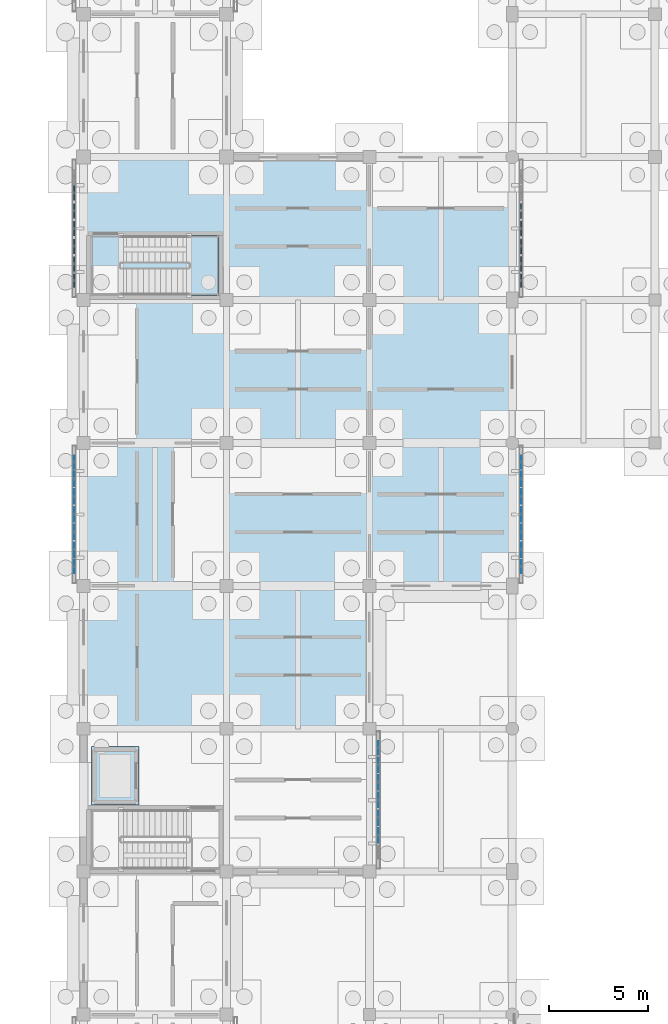
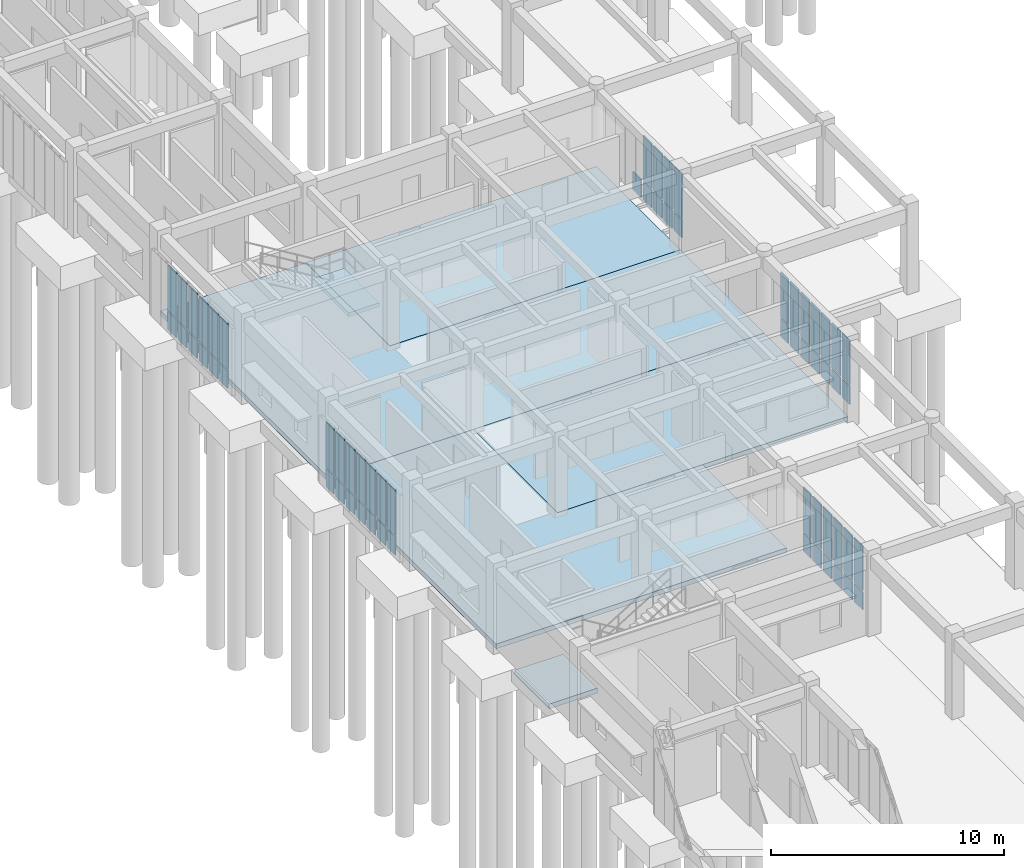
# One storey, part 48 of 111: 61 plates, 6 slabs, 6 elements without a shape of their own.
"""IFC4 building model written with IfcOpenShell, lengths in metres."""

from ifc_helpers import new_model, si_unit, direction, frame, origin, origin_2d, place, context, subcontext, project, spatial, polyline, rectangle, outline, extrude, material, layer, layer_set, type_object, element, aggregate, save


model = new_model("IFC4")

# Units and contexts
model_context = context("Model", 3, precision=1e-05, world=origin(), true_north=direction((0.0, 1.0)))
body_context = subcontext(model_context, "Body", "Model", "MODEL_VIEW")
ifc_project = project(units=[si_unit("LENGTHUNIT", "METRE"), si_unit("AREAUNIT", "SQUARE_METRE"), si_unit("VOLUMEUNIT", "CUBIC_METRE"), si_unit("PLANEANGLEUNIT", "RADIAN"), si_unit("MASSUNIT", "GRAM", prefix="KILO")], contexts=[model_context])

# Site, building, storey
site_placement = place(None, origin())
site = spatial("IfcSite", under=ifc_project, at=site_placement, CompositionType="ELEMENT")
building_placement = place(site_placement, origin())
building = spatial("IfcBuilding", under=site, at=building_placement, Name="Aldebral Square Health Centre", CompositionType="ELEMENT")
storey_placement = place(building_placement, origin())
storey = spatial("IfcBuildingStorey", under=building, at=storey_placement, Name="L00", CompositionType="ELEMENT", Elevation=0.0)

# Curtain wall, plates
ifc_material_1 = material(Name="Aluminium and low-E solar glass", Category="aluminium")
curtain_wall_type = type_object("IfcCurtainWallType", Name="CW-FIN-SYS", PredefinedType="USERDEFINED", material=ifc_material_1)
curtain_wall_1_placement = place(storey_placement, origin())
curtain_wall_1 = element("IfcCurtainWall", 1, at=curtain_wall_1_placement, inside=storey, type_object=curtain_wall_type, Name="L00 V6 finned curtain wall L00-V6-01-04-E", ObjectType="SOLAR_CURTAIN_WALL", PredefinedType="USERDEFINED")
ifc_material_2 = material(Name="Solar-control low-E double glass", Category="glass")
ifc_layer_1 = layer(ifc_material_2, 0.0400390625, Name="Solar-control low-E double glass", Category="glass")
ifc_layer_set_1 = layer_set([ifc_layer_1], Name="Solar-control low-E double glass")
plate_type_1 = type_object("IfcPlateType", Name="CWP-GLZ-3", PredefinedType="CURTAIN_PANEL", material=ifc_layer_set_1)
plate_1_placement = place(storey_placement, frame((14.860107421875, 30.6171875, 0.074951171875), z_axis=(0.0, 0.0, 1.0), x_axis=(0.0, 1.0, 0.0)))
plate_1 = element("IfcPlate", 2, at=plate_1_placement, type_object=plate_type_1, Name="CW1 panel 2.1", PredefinedType="CURTAIN_PANEL", context=body_context, shape_type="SweptSolid", body=[
    extrude(rectangle(XDim=0.7314453125, YDim=0.0400390625, at=origin_2d()), origin(), (0.0, 0.0, 1.0), 0.9375),
])
plate_2_placement = place(storey_placement, frame((14.860107421875, 30.6171875, 1.087646484375), z_axis=(0.0, 0.0, 1.0), x_axis=(0.0, 1.0, 0.0)))
plate_2 = element("IfcPlate", 3, at=plate_2_placement, type_object=plate_type_1, Name="CW1 panel 2.2", PredefinedType="CURTAIN_PANEL", context=body_context, shape_type="SweptSolid", body=[
    extrude(rectangle(XDim=0.7314453125, YDim=0.0400390625, at=origin_2d()), origin(), (0.0, 0.0, 1.0), 2.357421875),
])
plate_3_placement = place(storey_placement, frame((14.860107421875, 31.508544921875, 0.074951171875), z_axis=(0.0, 0.0, 1.0), x_axis=(0.0, 1.0, 0.0)))
plate_3 = element("IfcPlate", 4, at=plate_3_placement, type_object=plate_type_1, Name="CW1 panel 3.1", PredefinedType="CURTAIN_PANEL", context=body_context, shape_type="SweptSolid", body=[
    extrude(rectangle(XDim=0.7314453125, YDim=0.0400390625, at=origin_2d()), origin(), (0.0, 0.0, 1.0), 0.9375),
])
plate_4_placement = place(storey_placement, frame((14.860107421875, 31.508544921875, 1.087646484375), z_axis=(0.0, 0.0, 1.0), x_axis=(0.0, 1.0, 0.0)))
plate_4 = element("IfcPlate", 5, at=plate_4_placement, type_object=plate_type_1, Name="CW1 panel 3.2", PredefinedType="CURTAIN_PANEL", context=body_context, shape_type="SweptSolid", body=[
    extrude(rectangle(XDim=0.7314453125, YDim=0.0400390625, at=origin_2d()), origin(), (0.0, 0.0, 1.0), 2.357421875),
])
plate_5_placement = place(storey_placement, frame((14.860107421875, 32.39990234375, 0.074951171875), z_axis=(0.0, 0.0, 1.0), x_axis=(0.0, 1.0, 0.0)))
plate_5 = element("IfcPlate", 6, at=plate_5_placement, type_object=plate_type_1, Name="CW1 panel 4.1", PredefinedType="CURTAIN_PANEL", context=body_context, shape_type="SweptSolid", body=[
    extrude(rectangle(XDim=0.7314453125, YDim=0.0400390625, at=origin_2d()), origin(), (0.0, 0.0, 1.0), 0.9375),
])
plate_6_placement = place(storey_placement, frame((14.860107421875, 32.39990234375, 1.087646484375), z_axis=(0.0, 0.0, 1.0), x_axis=(0.0, 1.0, 0.0)))
plate_6 = element("IfcPlate", 7, at=plate_6_placement, type_object=plate_type_1, Name="CW1 panel 4.2", PredefinedType="CURTAIN_PANEL", context=body_context, shape_type="SweptSolid", body=[
    extrude(rectangle(XDim=0.7314453125, YDim=0.0400390625, at=origin_2d()), origin(), (0.0, 0.0, 1.0), 2.357421875),
])
plate_7_placement = place(storey_placement, frame((14.860107421875, 33.29150390625, 0.074951171875), z_axis=(0.0, 0.0, 1.0), x_axis=(0.0, 1.0, 0.0)))
plate_7 = element("IfcPlate", 8, at=plate_7_placement, type_object=plate_type_1, Name="CW1 panel 5.1", PredefinedType="CURTAIN_PANEL", context=body_context, shape_type="SweptSolid", body=[
    extrude(rectangle(XDim=0.7314453125, YDim=0.0400390625, at=origin_2d()), origin(), (0.0, 0.0, 1.0), 0.9375),
])
plate_8_placement = place(storey_placement, frame((14.860107421875, 33.29150390625, 1.087646484375), z_axis=(0.0, 0.0, 1.0), x_axis=(0.0, 1.0, 0.0)))
plate_8 = element("IfcPlate", 9, at=plate_8_placement, type_object=plate_type_1, Name="CW1 panel 5.2", PredefinedType="CURTAIN_PANEL", context=body_context, shape_type="SweptSolid", body=[
    extrude(rectangle(XDim=0.7314453125, YDim=0.0400390625, at=origin_2d()), origin(), (0.0, 0.0, 1.0), 2.357421875),
])
plate_9_placement = place(storey_placement, frame((14.860107421875, 34.182861328125, 0.074951171875), z_axis=(0.0, 0.0, 1.0), x_axis=(0.0, 1.0, 0.0)))
plate_9 = element("IfcPlate", 10, at=plate_9_placement, type_object=plate_type_1, Name="CW1 panel 6.1", PredefinedType="CURTAIN_PANEL", context=body_context, shape_type="SweptSolid", body=[
    extrude(rectangle(XDim=0.7314453125, YDim=0.0400390625, at=origin_2d()), origin(), (0.0, 0.0, 1.0), 0.9375),
])
plate_10_placement = place(storey_placement, frame((14.860107421875, 34.182861328125, 1.087646484375), z_axis=(0.0, 0.0, 1.0), x_axis=(0.0, 1.0, 0.0)))
plate_10 = element("IfcPlate", 11, at=plate_10_placement, type_object=plate_type_1, Name="CW1 panel 6.2", PredefinedType="CURTAIN_PANEL", context=body_context, shape_type="SweptSolid", body=[
    extrude(rectangle(XDim=0.7314453125, YDim=0.0400390625, at=origin_2d()), origin(), (0.0, 0.0, 1.0), 2.357421875),
])
plate_11_placement = place(storey_placement, frame((14.860107421875, 35.0341796875, 0.074951171875), z_axis=(0.0, 0.0, 1.0), x_axis=(0.0, 1.0, 0.0)))
plate_11 = element("IfcPlate", 12, at=plate_11_placement, type_object=plate_type_1, Name="CW1 panel 7.1", PredefinedType="CURTAIN_PANEL", context=body_context, shape_type="SweptSolid", body=[
    extrude(rectangle(XDim=0.6513671875, YDim=0.0400390625, at=origin_2d()), origin(), (0.0, 0.0, 1.0), 0.9375),
])
plate_12_placement = place(storey_placement, frame((14.860107421875, 35.0341796875, 1.087646484375), z_axis=(0.0, 0.0, 1.0), x_axis=(0.0, 1.0, 0.0)))
plate_12 = element("IfcPlate", 13, at=plate_12_placement, type_object=plate_type_1, Name="CW1 panel 7.2", PredefinedType="CURTAIN_PANEL", context=body_context, shape_type="SweptSolid", body=[
    extrude(rectangle(XDim=0.6513671875, YDim=0.0400390625, at=origin_2d()), origin(), (0.0, 0.0, 1.0), 2.357421875),
])
aggregate(curtain_wall_1, [plate_1, plate_2, plate_3, plate_4, plate_5, plate_6, plate_7, plate_8, plate_9, plate_10, plate_11, plate_12])

curtain_wall_2_placement = place(storey_placement, origin())
curtain_wall_2 = element("IfcCurtainWall", 14, at=curtain_wall_2_placement, inside=storey, type_object=curtain_wall_type, Name="L00 V6 finned curtain wall L00-V6-00-06-W", ObjectType="SOLAR_CURTAIN_WALL", PredefinedType="USERDEFINED")
ifc_layer_2 = layer(ifc_material_2, 0.050048828125, Name="Solar-control low-E double glass", Category="glass")
ifc_layer_set_2 = layer_set([ifc_layer_2], Name="Solar-control low-E double glass")
plate_type_2 = type_object("IfcPlateType", Name="CWP-GLZ-4", PredefinedType="CURTAIN_PANEL", material=ifc_layer_set_2)
plate_13_placement = place(storey_placement, frame((-0.4599609375, 49.434326171875, 0.074951171875), z_axis=(0.0, 0.0, 1.0), x_axis=(0.0, -1.0, 0.0)))
plate_13 = element("IfcPlate", 15, at=plate_13_placement, type_object=plate_type_2, Name="CW1 panel 1.1", PredefinedType="CURTAIN_PANEL", context=body_context, shape_type="SweptSolid", body=[
    extrude(rectangle(XDim=0.6513671875, YDim=0.050048828125, at=origin_2d()), origin(), (0.0, 0.0, 1.0), 0.9375),
])
plate_14_placement = place(storey_placement, frame((-0.4599609375, 49.434326171875, 1.087646484375), z_axis=(0.0, 0.0, 1.0), x_axis=(0.0, -1.0, 0.0)))
plate_14 = element("IfcPlate", 16, at=plate_14_placement, type_object=plate_type_2, Name="CW1 panel 1.2", PredefinedType="CURTAIN_PANEL", context=body_context, shape_type="SweptSolid", body=[
    extrude(rectangle(XDim=0.6513671875, YDim=0.050048828125, at=origin_2d()), origin(), (0.0, 0.0, 1.0), 2.357421875),
])
plate_15_placement = place(storey_placement, frame((-0.4599609375, 48.582763671875, 0.074951171875), z_axis=(0.0, 0.0, 1.0), x_axis=(0.0, -1.0, 0.0)))
plate_15 = element("IfcPlate", 17, at=plate_15_placement, type_object=plate_type_2, Name="CW1 panel 2.1", PredefinedType="CURTAIN_PANEL", context=body_context, shape_type="SweptSolid", body=[
    extrude(rectangle(XDim=0.7314453125, YDim=0.050048828125, at=origin_2d()), origin(), (0.0, 0.0, 1.0), 0.9375),
])
plate_16_placement = place(storey_placement, frame((-0.4599609375, 48.582763671875, 1.087646484375), z_axis=(0.0, 0.0, 1.0), x_axis=(0.0, -1.0, 0.0)))
plate_16 = element("IfcPlate", 18, at=plate_16_placement, type_object=plate_type_2, Name="CW1 panel 2.2", PredefinedType="CURTAIN_PANEL", context=body_context, shape_type="SweptSolid", body=[
    extrude(rectangle(XDim=0.7314453125, YDim=0.050048828125, at=origin_2d()), origin(), (0.0, 0.0, 1.0), 2.357421875),
])
plate_17_placement = place(storey_placement, frame((-0.4599609375, 47.69140625, 0.074951171875), z_axis=(0.0, 0.0, 1.0), x_axis=(0.0, -1.0, 0.0)))
plate_17 = element("IfcPlate", 19, at=plate_17_placement, type_object=plate_type_2, Name="CW1 panel 3.1", PredefinedType="CURTAIN_PANEL", context=body_context, shape_type="SweptSolid", body=[
    extrude(rectangle(XDim=0.7314453125, YDim=0.050048828125, at=origin_2d()), origin(), (0.0, 0.0, 1.0), 0.9375),
])
plate_18_placement = place(storey_placement, frame((-0.4599609375, 47.69140625, 1.087646484375), z_axis=(0.0, 0.0, 1.0), x_axis=(0.0, -1.0, 0.0)))
plate_18 = element("IfcPlate", 20, at=plate_18_placement, type_object=plate_type_2, Name="CW1 panel 3.2", PredefinedType="CURTAIN_PANEL", context=body_context, shape_type="SweptSolid", body=[
    extrude(rectangle(XDim=0.7314453125, YDim=0.050048828125, at=origin_2d()), origin(), (0.0, 0.0, 1.0), 2.357421875),
])
plate_19_placement = place(storey_placement, frame((-0.4599609375, 46.800048828125, 0.074951171875), z_axis=(0.0, 0.0, 1.0), x_axis=(0.0, -1.0, 0.0)))
plate_19 = element("IfcPlate", 21, at=plate_19_placement, type_object=plate_type_2, Name="CW1 panel 4.1", PredefinedType="CURTAIN_PANEL", context=body_context, shape_type="SweptSolid", body=[
    extrude(rectangle(XDim=0.7314453125, YDim=0.050048828125, at=origin_2d()), origin(), (0.0, 0.0, 1.0), 0.9375),
])
plate_20_placement = place(storey_placement, frame((-0.4599609375, 46.800048828125, 1.087646484375), z_axis=(0.0, 0.0, 1.0), x_axis=(0.0, -1.0, 0.0)))
plate_20 = element("IfcPlate", 22, at=plate_20_placement, type_object=plate_type_2, Name="CW1 panel 4.2", PredefinedType="CURTAIN_PANEL", context=body_context, shape_type="SweptSolid", body=[
    extrude(rectangle(XDim=0.7314453125, YDim=0.050048828125, at=origin_2d()), origin(), (0.0, 0.0, 1.0), 2.357421875),
])
plate_21_placement = place(storey_placement, frame((-0.4599609375, 45.90869140625, 0.074951171875), z_axis=(0.0, 0.0, 1.0), x_axis=(0.0, -1.0, 0.0)))
plate_21 = element("IfcPlate", 23, at=plate_21_placement, type_object=plate_type_2, Name="CW1 panel 5.1", PredefinedType="CURTAIN_PANEL", context=body_context, shape_type="SweptSolid", body=[
    extrude(rectangle(XDim=0.7314453125, YDim=0.050048828125, at=origin_2d()), origin(), (0.0, 0.0, 1.0), 0.9375),
])
plate_22_placement = place(storey_placement, frame((-0.4599609375, 45.90869140625, 1.087646484375), z_axis=(0.0, 0.0, 1.0), x_axis=(0.0, -1.0, 0.0)))
plate_22 = element("IfcPlate", 24, at=plate_22_placement, type_object=plate_type_2, Name="CW1 panel 5.2", PredefinedType="CURTAIN_PANEL", context=body_context, shape_type="SweptSolid", body=[
    extrude(rectangle(XDim=0.7314453125, YDim=0.050048828125, at=origin_2d()), origin(), (0.0, 0.0, 1.0), 2.357421875),
])
plate_23_placement = place(storey_placement, frame((-0.4599609375, 45.01708984375, 0.074951171875), z_axis=(0.0, 0.0, 1.0), x_axis=(0.0, -1.0, 0.0)))
plate_23 = element("IfcPlate", 25, at=plate_23_placement, type_object=plate_type_2, Name="CW1 panel 6.1", PredefinedType="CURTAIN_PANEL", context=body_context, shape_type="SweptSolid", body=[
    extrude(rectangle(XDim=0.7314453125, YDim=0.050048828125, at=origin_2d()), origin(), (0.0, 0.0, 1.0), 0.9375),
])
plate_24_placement = place(storey_placement, frame((-0.4599609375, 45.01708984375, 1.087646484375), z_axis=(0.0, 0.0, 1.0), x_axis=(0.0, -1.0, 0.0)))
plate_24 = element("IfcPlate", 26, at=plate_24_placement, type_object=plate_type_2, Name="CW1 panel 6.2", PredefinedType="CURTAIN_PANEL", context=body_context, shape_type="SweptSolid", body=[
    extrude(rectangle(XDim=0.7314453125, YDim=0.050048828125, at=origin_2d()), origin(), (0.0, 0.0, 1.0), 2.357421875),
])
plate_25_placement = place(storey_placement, frame((-0.4599609375, 44.165771484375, 0.074951171875), z_axis=(0.0, 0.0, 1.0), x_axis=(0.0, -1.0, 0.0)))
plate_25 = element("IfcPlate", 27, at=plate_25_placement, type_object=plate_type_2, Name="CW1 panel 7.1", PredefinedType="CURTAIN_PANEL", context=body_context, shape_type="SweptSolid", body=[
    extrude(rectangle(XDim=0.6513671875, YDim=0.050048828125, at=origin_2d()), origin(), (0.0, 0.0, 1.0), 0.9375),
])
plate_26_placement = place(storey_placement, frame((-0.4599609375, 44.165771484375, 1.087646484375), z_axis=(0.0, 0.0, 1.0), x_axis=(0.0, -1.0, 0.0)))
plate_26 = element("IfcPlate", 28, at=plate_26_placement, type_object=plate_type_2, Name="CW1 panel 7.2", PredefinedType="CURTAIN_PANEL", context=body_context, shape_type="SweptSolid", body=[
    extrude(rectangle(XDim=0.6513671875, YDim=0.050048828125, at=origin_2d()), origin(), (0.0, 0.0, 1.0), 2.357421875),
])
aggregate(curtain_wall_2, [plate_13, plate_14, plate_15, plate_16, plate_17, plate_18, plate_19, plate_20, plate_21, plate_22, plate_23, plate_24, plate_25, plate_26])

curtain_wall_3_placement = place(storey_placement, origin())
curtain_wall_3 = element("IfcCurtainWall", 29, at=curtain_wall_3_placement, inside=storey, type_object=curtain_wall_type, Name="L00 V6 finned curtain wall L00-V6-02-06-E", ObjectType="SOLAR_CURTAIN_WALL", PredefinedType="USERDEFINED")
plate_27_placement = place(storey_placement, frame((22.06005859375, 44.165771484375, 0.074951171875), z_axis=(0.0, 0.0, 1.0), x_axis=(0.0, 1.0, 0.0)))
plate_27 = element("IfcPlate", 30, at=plate_27_placement, type_object=plate_type_2, Name="CW1 panel 1.1", PredefinedType="CURTAIN_PANEL", context=body_context, shape_type="SweptSolid", body=[
    extrude(rectangle(XDim=0.6513671875, YDim=0.050048828125, at=origin_2d()), origin(), (0.0, 0.0, 1.0), 0.9375),
])
plate_28_placement = place(storey_placement, frame((22.06005859375, 44.165771484375, 1.087646484375), z_axis=(0.0, 0.0, 1.0), x_axis=(0.0, 1.0, 0.0)))
plate_28 = element("IfcPlate", 31, at=plate_28_placement, type_object=plate_type_2, Name="CW1 panel 1.2", PredefinedType="CURTAIN_PANEL", context=body_context, shape_type="SweptSolid", body=[
    extrude(rectangle(XDim=0.6513671875, YDim=0.050048828125, at=origin_2d()), origin(), (0.0, 0.0, 1.0), 2.357421875),
])
plate_29_placement = place(storey_placement, frame((22.06005859375, 45.01708984375, 0.074951171875), z_axis=(0.0, 0.0, 1.0), x_axis=(0.0, 1.0, 0.0)))
plate_29 = element("IfcPlate", 32, at=plate_29_placement, type_object=plate_type_2, Name="CW1 panel 2.1", PredefinedType="CURTAIN_PANEL", context=body_context, shape_type="SweptSolid", body=[
    extrude(rectangle(XDim=0.7314453125, YDim=0.050048828125, at=origin_2d()), origin(), (0.0, 0.0, 1.0), 0.9375),
])
plate_30_placement = place(storey_placement, frame((22.06005859375, 45.01708984375, 1.087646484375), z_axis=(0.0, 0.0, 1.0), x_axis=(0.0, 1.0, 0.0)))
plate_30 = element("IfcPlate", 33, at=plate_30_placement, type_object=plate_type_2, Name="CW1 panel 2.2", PredefinedType="CURTAIN_PANEL", context=body_context, shape_type="SweptSolid", body=[
    extrude(rectangle(XDim=0.7314453125, YDim=0.050048828125, at=origin_2d()), origin(), (0.0, 0.0, 1.0), 2.357421875),
])
plate_31_placement = place(storey_placement, frame((22.06005859375, 45.90869140625, 0.074951171875), z_axis=(0.0, 0.0, 1.0), x_axis=(0.0, 1.0, 0.0)))
plate_31 = element("IfcPlate", 34, at=plate_31_placement, type_object=plate_type_2, Name="CW1 panel 3.1", PredefinedType="CURTAIN_PANEL", context=body_context, shape_type="SweptSolid", body=[
    extrude(rectangle(XDim=0.7314453125, YDim=0.050048828125, at=origin_2d()), origin(), (0.0, 0.0, 1.0), 0.9375),
])
plate_32_placement = place(storey_placement, frame((22.06005859375, 45.90869140625, 1.087646484375), z_axis=(0.0, 0.0, 1.0), x_axis=(0.0, 1.0, 0.0)))
plate_32 = element("IfcPlate", 35, at=plate_32_placement, type_object=plate_type_2, Name="CW1 panel 3.2", PredefinedType="CURTAIN_PANEL", context=body_context, shape_type="SweptSolid", body=[
    extrude(rectangle(XDim=0.7314453125, YDim=0.050048828125, at=origin_2d()), origin(), (0.0, 0.0, 1.0), 2.357421875),
])
plate_33_placement = place(storey_placement, frame((22.06005859375, 46.800048828125, 0.074951171875), z_axis=(0.0, 0.0, 1.0), x_axis=(0.0, 1.0, 0.0)))
plate_33 = element("IfcPlate", 36, at=plate_33_placement, type_object=plate_type_2, Name="CW1 panel 4.1", PredefinedType="CURTAIN_PANEL", context=body_context, shape_type="SweptSolid", body=[
    extrude(rectangle(XDim=0.7314453125, YDim=0.050048828125, at=origin_2d()), origin(), (0.0, 0.0, 1.0), 0.9375),
])
plate_34_placement = place(storey_placement, frame((22.06005859375, 46.800048828125, 1.087646484375), z_axis=(0.0, 0.0, 1.0), x_axis=(0.0, 1.0, 0.0)))
plate_34 = element("IfcPlate", 37, at=plate_34_placement, type_object=plate_type_2, Name="CW1 panel 4.2", PredefinedType="CURTAIN_PANEL", context=body_context, shape_type="SweptSolid", body=[
    extrude(rectangle(XDim=0.7314453125, YDim=0.050048828125, at=origin_2d()), origin(), (0.0, 0.0, 1.0), 2.357421875),
])
plate_35_placement = place(storey_placement, frame((22.06005859375, 47.69140625, 0.074951171875), z_axis=(0.0, 0.0, 1.0), x_axis=(0.0, 1.0, 0.0)))
plate_35 = element("IfcPlate", 38, at=plate_35_placement, type_object=plate_type_2, Name="CW1 panel 5.1", PredefinedType="CURTAIN_PANEL", context=body_context, shape_type="SweptSolid", body=[
    extrude(rectangle(XDim=0.7314453125, YDim=0.050048828125, at=origin_2d()), origin(), (0.0, 0.0, 1.0), 0.9375),
])
plate_36_placement = place(storey_placement, frame((22.06005859375, 47.69140625, 1.087646484375), z_axis=(0.0, 0.0, 1.0), x_axis=(0.0, 1.0, 0.0)))
plate_36 = element("IfcPlate", 39, at=plate_36_placement, type_object=plate_type_2, Name="CW1 panel 5.2", PredefinedType="CURTAIN_PANEL", context=body_context, shape_type="SweptSolid", body=[
    extrude(rectangle(XDim=0.7314453125, YDim=0.050048828125, at=origin_2d()), origin(), (0.0, 0.0, 1.0), 2.357421875),
])
plate_37_placement = place(storey_placement, frame((22.06005859375, 48.582763671875, 0.074951171875), z_axis=(0.0, 0.0, 1.0), x_axis=(0.0, 1.0, 0.0)))
plate_37 = element("IfcPlate", 40, at=plate_37_placement, type_object=plate_type_2, Name="CW1 panel 6.1", PredefinedType="CURTAIN_PANEL", context=body_context, shape_type="SweptSolid", body=[
    extrude(rectangle(XDim=0.7314453125, YDim=0.050048828125, at=origin_2d()), origin(), (0.0, 0.0, 1.0), 0.9375),
])
plate_38_placement = place(storey_placement, frame((22.06005859375, 48.582763671875, 1.087646484375), z_axis=(0.0, 0.0, 1.0), x_axis=(0.0, 1.0, 0.0)))
plate_38 = element("IfcPlate", 41, at=plate_38_placement, type_object=plate_type_2, Name="CW1 panel 6.2", PredefinedType="CURTAIN_PANEL", context=body_context, shape_type="SweptSolid", body=[
    extrude(rectangle(XDim=0.7314453125, YDim=0.050048828125, at=origin_2d()), origin(), (0.0, 0.0, 1.0), 2.357421875),
])
plate_39_placement = place(storey_placement, frame((22.06005859375, 49.434326171875, 0.074951171875), z_axis=(0.0, 0.0, 1.0), x_axis=(0.0, 1.0, 0.0)))
plate_39 = element("IfcPlate", 42, at=plate_39_placement, type_object=plate_type_2, Name="CW1 panel 7.1", PredefinedType="CURTAIN_PANEL", context=body_context, shape_type="SweptSolid", body=[
    extrude(rectangle(XDim=0.6513671875, YDim=0.050048828125, at=origin_2d()), origin(), (0.0, 0.0, 1.0), 0.9375),
])
plate_40_placement = place(storey_placement, frame((22.06005859375, 49.434326171875, 1.087646484375), z_axis=(0.0, 0.0, 1.0), x_axis=(0.0, 1.0, 0.0)))
plate_40 = element("IfcPlate", 43, at=plate_40_placement, type_object=plate_type_2, Name="CW1 panel 7.2", PredefinedType="CURTAIN_PANEL", context=body_context, shape_type="SweptSolid", body=[
    extrude(rectangle(XDim=0.6513671875, YDim=0.050048828125, at=origin_2d()), origin(), (0.0, 0.0, 1.0), 2.357421875),
])
aggregate(curtain_wall_3, [plate_27, plate_28, plate_29, plate_30, plate_31, plate_32, plate_33, plate_34, plate_35, plate_36, plate_37, plate_38, plate_39, plate_40])

curtain_wall_4_placement = place(storey_placement, origin())
curtain_wall_4 = element("IfcCurtainWall", 44, at=curtain_wall_4_placement, inside=storey, type_object=curtain_wall_type, Name="L00 V4 finned curtain wall L00-V4-00-08-W", ObjectType="SOLAR_CURTAIN_WALL", PredefinedType="USERDEFINED")
ifc_layer_3 = layer(ifc_material_2, 0.06005859375, Name="Solar-control low-E double glass", Category="glass")
ifc_layer_set_3 = layer_set([ifc_layer_3], Name="Solar-control low-E double glass")
plate_type_3 = type_object("IfcPlateType", Name="CWP-GLZ-5", PredefinedType="CURTAIN_PANEL", material=ifc_layer_set_3)
plate_41_placement = place(storey_placement, frame((-0.4599609375, 62.98291015625, 0.074951171875), z_axis=(0.0, 0.0, 1.0), x_axis=(0.0, -1.0, 0.0)))
plate_41 = element("IfcPlate", 45, at=plate_41_placement, type_object=plate_type_3, Name="CW1 panel 2.1", PredefinedType="CURTAIN_PANEL", context=body_context, shape_type="SweptSolid", body=[
    extrude(rectangle(XDim=0.7314453125, YDim=0.06005859375, at=origin_2d()), origin(), (0.0, 0.0, 1.0), 0.9375),
])
plate_42_placement = place(storey_placement, frame((-0.4599609375, 62.98291015625, 1.087646484375), z_axis=(0.0, 0.0, 1.0), x_axis=(0.0, -1.0, 0.0)))
plate_42 = element("IfcPlate", 46, at=plate_42_placement, type_object=plate_type_3, Name="CW1 panel 2.2", PredefinedType="CURTAIN_PANEL", context=body_context, shape_type="SweptSolid", body=[
    extrude(rectangle(XDim=0.7314453125, YDim=0.06005859375, at=origin_2d()), origin(), (0.0, 0.0, 1.0), 2.357421875),
])
plate_43_placement = place(storey_placement, frame((-0.4599609375, 62.09130859375, 0.074951171875), z_axis=(0.0, 0.0, 1.0), x_axis=(0.0, -1.0, 0.0)))
plate_43 = element("IfcPlate", 47, at=plate_43_placement, type_object=plate_type_3, Name="CW1 panel 3.1", PredefinedType="CURTAIN_PANEL", context=body_context, shape_type="SweptSolid", body=[
    extrude(rectangle(XDim=0.7314453125, YDim=0.06005859375, at=origin_2d()), origin(), (0.0, 0.0, 1.0), 0.9375),
])
plate_44_placement = place(storey_placement, frame((-0.4599609375, 62.09130859375, 1.087646484375), z_axis=(0.0, 0.0, 1.0), x_axis=(0.0, -1.0, 0.0)))
plate_44 = element("IfcPlate", 48, at=plate_44_placement, type_object=plate_type_3, Name="CW1 panel 3.2", PredefinedType="CURTAIN_PANEL", context=body_context, shape_type="SweptSolid", body=[
    extrude(rectangle(XDim=0.7314453125, YDim=0.06005859375, at=origin_2d()), origin(), (0.0, 0.0, 1.0), 2.357421875),
])
plate_45_placement = place(storey_placement, frame((-0.4599609375, 61.199951171875, 0.074951171875), z_axis=(0.0, 0.0, 1.0), x_axis=(0.0, -1.0, 0.0)))
plate_45 = element("IfcPlate", 49, at=plate_45_placement, type_object=plate_type_3, Name="CW1 panel 4.1", PredefinedType="CURTAIN_PANEL", context=body_context, shape_type="SweptSolid", body=[
    extrude(rectangle(XDim=0.7314453125, YDim=0.06005859375, at=origin_2d()), origin(), (0.0, 0.0, 1.0), 0.9375),
])
plate_46_placement = place(storey_placement, frame((-0.4599609375, 61.199951171875, 1.087646484375), z_axis=(0.0, 0.0, 1.0), x_axis=(0.0, -1.0, 0.0)))
plate_46 = element("IfcPlate", 50, at=plate_46_placement, type_object=plate_type_3, Name="CW1 panel 4.2", PredefinedType="CURTAIN_PANEL", context=body_context, shape_type="SweptSolid", body=[
    extrude(rectangle(XDim=0.7314453125, YDim=0.06005859375, at=origin_2d()), origin(), (0.0, 0.0, 1.0), 2.357421875),
])
plate_47_placement = place(storey_placement, frame((-0.4599609375, 60.30859375, 0.074951171875), z_axis=(0.0, 0.0, 1.0), x_axis=(0.0, -1.0, 0.0)))
plate_47 = element("IfcPlate", 51, at=plate_47_placement, type_object=plate_type_3, Name="CW1 panel 5.1", PredefinedType="CURTAIN_PANEL", context=body_context, shape_type="SweptSolid", body=[
    extrude(rectangle(XDim=0.7314453125, YDim=0.06005859375, at=origin_2d()), origin(), (0.0, 0.0, 1.0), 0.9375),
])
plate_48_placement = place(storey_placement, frame((-0.4599609375, 60.30859375, 1.087646484375), z_axis=(0.0, 0.0, 1.0), x_axis=(0.0, -1.0, 0.0)))
plate_48 = element("IfcPlate", 52, at=plate_48_placement, type_object=plate_type_3, Name="CW1 panel 5.2", PredefinedType="CURTAIN_PANEL", context=body_context, shape_type="SweptSolid", body=[
    extrude(rectangle(XDim=0.7314453125, YDim=0.06005859375, at=origin_2d()), origin(), (0.0, 0.0, 1.0), 2.357421875),
])
plate_49_placement = place(storey_placement, frame((-0.4599609375, 59.417236328125, 0.074951171875), z_axis=(0.0, 0.0, 1.0), x_axis=(0.0, -1.0, 0.0)))
plate_49 = element("IfcPlate", 53, at=plate_49_placement, type_object=plate_type_3, Name="CW1 panel 6.1", PredefinedType="CURTAIN_PANEL", context=body_context, shape_type="SweptSolid", body=[
    extrude(rectangle(XDim=0.7314453125, YDim=0.06005859375, at=origin_2d()), origin(), (0.0, 0.0, 1.0), 0.9375),
])
plate_50_placement = place(storey_placement, frame((-0.4599609375, 59.417236328125, 1.087646484375), z_axis=(0.0, 0.0, 1.0), x_axis=(0.0, -1.0, 0.0)))
plate_50 = element("IfcPlate", 54, at=plate_50_placement, type_object=plate_type_3, Name="CW1 panel 6.2", PredefinedType="CURTAIN_PANEL", context=body_context, shape_type="SweptSolid", body=[
    extrude(rectangle(XDim=0.7314453125, YDim=0.06005859375, at=origin_2d()), origin(), (0.0, 0.0, 1.0), 2.357421875),
])
plate_51_placement = place(storey_placement, frame((-0.4599609375, 58.565673828125, 0.074951171875), z_axis=(0.0, 0.0, 1.0), x_axis=(0.0, -1.0, 0.0)))
plate_51 = element("IfcPlate", 55, at=plate_51_placement, type_object=plate_type_3, Name="CW1 panel 7.1", PredefinedType="CURTAIN_PANEL", context=body_context, shape_type="SweptSolid", body=[
    extrude(rectangle(XDim=0.6513671875, YDim=0.06005859375, at=origin_2d()), origin(), (0.0, 0.0, 1.0), 0.9375),
])
plate_52_placement = place(storey_placement, frame((-0.4599609375, 58.565673828125, 1.087646484375), z_axis=(0.0, 0.0, 1.0), x_axis=(0.0, -1.0, 0.0)))
plate_52 = element("IfcPlate", 56, at=plate_52_placement, type_object=plate_type_3, Name="CW1 panel 7.2", PredefinedType="CURTAIN_PANEL", context=body_context, shape_type="SweptSolid", body=[
    extrude(rectangle(XDim=0.6513671875, YDim=0.06005859375, at=origin_2d()), origin(), (0.0, 0.0, 1.0), 2.357421875),
])
aggregate(curtain_wall_4, [plate_41, plate_42, plate_43, plate_44, plate_45, plate_46, plate_47, plate_48, plate_49, plate_50, plate_51, plate_52])

curtain_wall_5_placement = place(storey_placement, origin())
curtain_wall_5 = element("IfcCurtainWall", 57, at=curtain_wall_5_placement, inside=storey, type_object=curtain_wall_type, Name="L00 V4 finned curtain wall L00-V4-02-08-E", ObjectType="SOLAR_CURTAIN_WALL", PredefinedType="USERDEFINED")
plate_53_placement = place(storey_placement, frame((22.06005859375, 58.565673828125, 0.074951171875), z_axis=(0.0, 0.0, 1.0), x_axis=(0.0, 1.0, 0.0)))
plate_53 = element("IfcPlate", 58, at=plate_53_placement, type_object=plate_type_3, Name="CW1 panel 1.1", PredefinedType="CURTAIN_PANEL", context=body_context, shape_type="SweptSolid", body=[
    extrude(rectangle(XDim=0.6513671875, YDim=0.06005859375, at=origin_2d()), origin(), (0.0, 0.0, 1.0), 0.9375),
])
plate_54_placement = place(storey_placement, frame((22.06005859375, 58.565673828125, 1.087646484375), z_axis=(0.0, 0.0, 1.0), x_axis=(0.0, 1.0, 0.0)))
plate_54 = element("IfcPlate", 59, at=plate_54_placement, type_object=plate_type_3, Name="CW1 panel 1.2", PredefinedType="CURTAIN_PANEL", context=body_context, shape_type="SweptSolid", body=[
    extrude(rectangle(XDim=0.6513671875, YDim=0.06005859375, at=origin_2d()), origin(), (0.0, 0.0, 1.0), 2.357421875),
])
plate_55_placement = place(storey_placement, frame((22.06005859375, 59.417236328125, 0.074951171875), z_axis=(0.0, 0.0, 1.0), x_axis=(0.0, 1.0, 0.0)))
plate_55 = element("IfcPlate", 60, at=plate_55_placement, type_object=plate_type_3, Name="CW1 panel 2.1", PredefinedType="CURTAIN_PANEL", context=body_context, shape_type="SweptSolid", body=[
    extrude(rectangle(XDim=0.7314453125, YDim=0.06005859375, at=origin_2d()), origin(), (0.0, 0.0, 1.0), 0.9375),
])
plate_56_placement = place(storey_placement, frame((22.06005859375, 59.417236328125, 1.087646484375), z_axis=(0.0, 0.0, 1.0), x_axis=(0.0, 1.0, 0.0)))
plate_56 = element("IfcPlate", 61, at=plate_56_placement, type_object=plate_type_3, Name="CW1 panel 2.2", PredefinedType="CURTAIN_PANEL", context=body_context, shape_type="SweptSolid", body=[
    extrude(rectangle(XDim=0.7314453125, YDim=0.06005859375, at=origin_2d()), origin(), (0.0, 0.0, 1.0), 2.357421875),
])
plate_57_placement = place(storey_placement, frame((22.06005859375, 60.30859375, 0.074951171875), z_axis=(0.0, 0.0, 1.0), x_axis=(0.0, 1.0, 0.0)))
plate_57 = element("IfcPlate", 62, at=plate_57_placement, type_object=plate_type_3, Name="CW1 panel 3.1", PredefinedType="CURTAIN_PANEL", context=body_context, shape_type="SweptSolid", body=[
    extrude(rectangle(XDim=0.7314453125, YDim=0.06005859375, at=origin_2d()), origin(), (0.0, 0.0, 1.0), 0.9375),
])
plate_58_placement = place(storey_placement, frame((22.06005859375, 60.30859375, 1.087646484375), z_axis=(0.0, 0.0, 1.0), x_axis=(0.0, 1.0, 0.0)))
plate_58 = element("IfcPlate", 63, at=plate_58_placement, type_object=plate_type_3, Name="CW1 panel 3.2", PredefinedType="CURTAIN_PANEL", context=body_context, shape_type="SweptSolid", body=[
    extrude(rectangle(XDim=0.7314453125, YDim=0.06005859375, at=origin_2d()), origin(), (0.0, 0.0, 1.0), 2.357421875),
])
plate_59_placement = place(storey_placement, frame((22.06005859375, 61.199951171875, 0.074951171875), z_axis=(0.0, 0.0, 1.0), x_axis=(0.0, 1.0, 0.0)))
plate_59 = element("IfcPlate", 64, at=plate_59_placement, type_object=plate_type_3, Name="CW1 panel 4.1", PredefinedType="CURTAIN_PANEL", context=body_context, shape_type="SweptSolid", body=[
    extrude(rectangle(XDim=0.7314453125, YDim=0.06005859375, at=origin_2d()), origin(), (0.0, 0.0, 1.0), 0.9375),
])
plate_60_placement = place(storey_placement, frame((22.06005859375, 61.199951171875, 1.087646484375), z_axis=(0.0, 0.0, 1.0), x_axis=(0.0, 1.0, 0.0)))
plate_60 = element("IfcPlate", 65, at=plate_60_placement, type_object=plate_type_3, Name="CW1 panel 4.2", PredefinedType="CURTAIN_PANEL", context=body_context, shape_type="SweptSolid", body=[
    extrude(rectangle(XDim=0.7314453125, YDim=0.06005859375, at=origin_2d()), origin(), (0.0, 0.0, 1.0), 2.357421875),
])
plate_61_placement = place(storey_placement, frame((22.06005859375, 62.09130859375, 0.074951171875), z_axis=(0.0, 0.0, 1.0), x_axis=(0.0, 1.0, 0.0)))
plate_61 = element("IfcPlate", 66, at=plate_61_placement, type_object=plate_type_3, Name="CW1 panel 5.1", PredefinedType="CURTAIN_PANEL", context=body_context, shape_type="SweptSolid", body=[
    extrude(rectangle(XDim=0.7314453125, YDim=0.06005859375, at=origin_2d()), origin(), (0.0, 0.0, 1.0), 0.9375),
])
aggregate(curtain_wall_5, [plate_53, plate_54, plate_55, plate_56, plate_57, plate_58, plate_59, plate_60, plate_61])

# Slabs
ifc_material_3 = material(Name="Concrete C35/45", Category="concrete")
ifc_layer_4 = layer(ifc_material_3, 0.25, Name="Concrete C35/45", Category="concrete")
ifc_layer_set_4 = layer_set([ifc_layer_4], Name="Concrete C35/45")
slab_type_1 = type_object("IfcSlabType", Name="SL-BASE-250", PredefinedType="BASESLAB", material=ifc_layer_set_4)
slab_1_placement = place(storey_placement, frame((0.0, 0.0, -0.25)))
element("IfcSlab", 67, at=slab_1_placement, inside=storey, type_object=slab_type_1, Name="L00 V4 base slab 1", PredefinedType="BASESLAB", context=body_context, shape_type="SweptSolid", body=[
    extrude(outline(polyline([(0.0, 57.60009765625), (0.0, 64.800048828125), (7.199951171875, 64.800048828125), (7.199951171875, 57.60009765625), (14.39990234375, 57.60009765625), (21.60009765625, 57.60009765625), (21.60009765625, 50.39990234375), (14.39990234375, 50.39990234375), (7.199951171875, 50.39990234375), (0.0, 50.39990234375), (0.0, 57.60009765625)])), origin(), (0.0, 0.0, 1.0), 0.25),
])
slab_2_placement = place(storey_placement, frame((0.0, 0.0, -0.25)))
element("IfcSlab", 68, at=slab_2_placement, inside=storey, type_object=slab_type_1, Name="L00 V4 base slab 6", PredefinedType="BASESLAB", context=body_context, shape_type="SweptSolid", body=[
    extrude(outline(polyline([(7.199951171875, 57.60009765625), (7.199951171875, 64.800048828125), (14.39990234375, 64.800048828125), (21.60009765625, 64.800048828125), (21.60009765625, 57.60009765625), (14.39990234375, 57.60009765625), (7.199951171875, 57.60009765625)])), origin(), (0.0, 0.0, 1.0), 0.25),
])
slab_3_placement = place(storey_placement, frame((0.0, 0.0, -0.25)))
element("IfcSlab", 69, at=slab_3_placement, inside=storey, type_object=slab_type_1, Name="L00 V6 base slab 3", PredefinedType="BASESLAB", context=body_context, shape_type="SweptSolid", body=[
    extrude(outline(polyline([(0.0, 36.0), (0.0, 43.199951171875), (0.0, 50.39990234375), (7.199951171875, 50.39990234375), (7.199951171875, 43.199951171875), (14.39990234375, 43.199951171875), (14.39990234375, 36.0), (7.199951171875, 36.0), (0.0, 36.0)])), origin(), (0.0, 0.0, 1.0), 0.25),
])
slab_4_placement = place(storey_placement, frame((0.0, 0.0, -0.25)))
element("IfcSlab", 70, at=slab_4_placement, inside=storey, type_object=slab_type_1, Name="L00 V6 base slab 4", PredefinedType="BASESLAB", context=body_context, shape_type="SweptSolid", body=[
    extrude(outline(polyline([(7.199951171875, 43.199951171875), (7.199951171875, 50.39990234375), (14.39990234375, 50.39990234375), (21.60009765625, 50.39990234375), (21.60009765625, 43.199951171875), (14.39990234375, 43.199951171875), (7.199951171875, 43.199951171875)])), origin(), (0.0, 0.0, 1.0), 0.25),
])
slab_5_placement = place(storey_placement, frame((0.0, 0.0, -1.199951171875)))
element("IfcSlab", 71, at=slab_5_placement, inside=storey, type_object=slab_type_1, Name="LF-05 pit slab", PredefinedType="BASESLAB", context=body_context, shape_type="SweptSolid", body=[
    extrude(outline(polyline([(0.39990234375, 32.14990234375), (2.800048828125, 32.14990234375), (2.800048828125, 35.10009765625), (0.39990234375, 35.10009765625), (0.39990234375, 32.14990234375)])), origin(), (0.0, 0.0, 1.0), 0.25),
])

# Stair, slab
stair_type = type_object("IfcStairType", Name="ST-DOG-140", PredefinedType="HALF_TURN_STAIR", material=ifc_material_3)
stair_placement = place(storey_placement, origin())
stair = element("IfcStair", 72, at=stair_placement, inside=storey, type_object=stair_type, Name="L00 ST-11", PredefinedType="HALF_TURN_STAIR")
ifc_layer_5 = layer(ifc_material_3, 0.199951171875, Name="Concrete C35/45", Category="concrete")
ifc_layer_set_5 = layer_set([ifc_layer_5], Name="Concrete C35/45")
slab_type_2 = type_object("IfcSlabType", Name="SL-LND-200", PredefinedType="LANDING", material=ifc_layer_set_5)
slab_6_placement = place(storey_placement, frame((0.0, 0.0, 2.050048828125)))
slab_6 = element("IfcSlab", 73, at=slab_6_placement, type_object=slab_type_2, Name="ST-11 landing 1", PredefinedType="LANDING", context=body_context, shape_type="SweptSolid", body=[
    extrude(outline(polyline([(5.300048828125, 57.840087890625), (6.820068359375, 57.840087890625), (6.820068359375, 60.840087890625), (5.300048828125, 60.840087890625), (5.300048828125, 57.840087890625)])), origin(), (0.0, 0.0, 1.0), 0.199951171875),
])
aggregate(stair, [slab_6])

save(model, "model.ifc")
